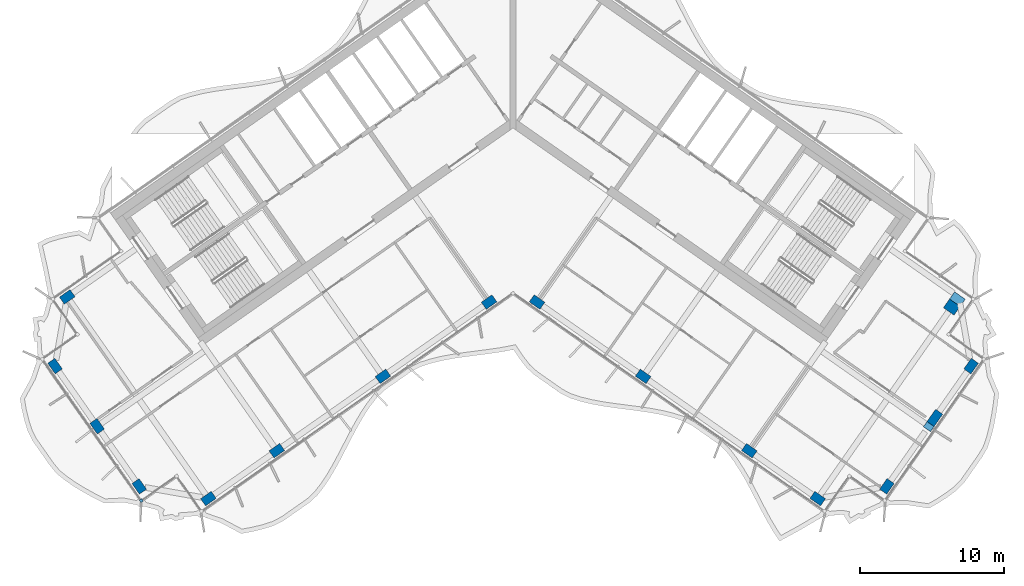
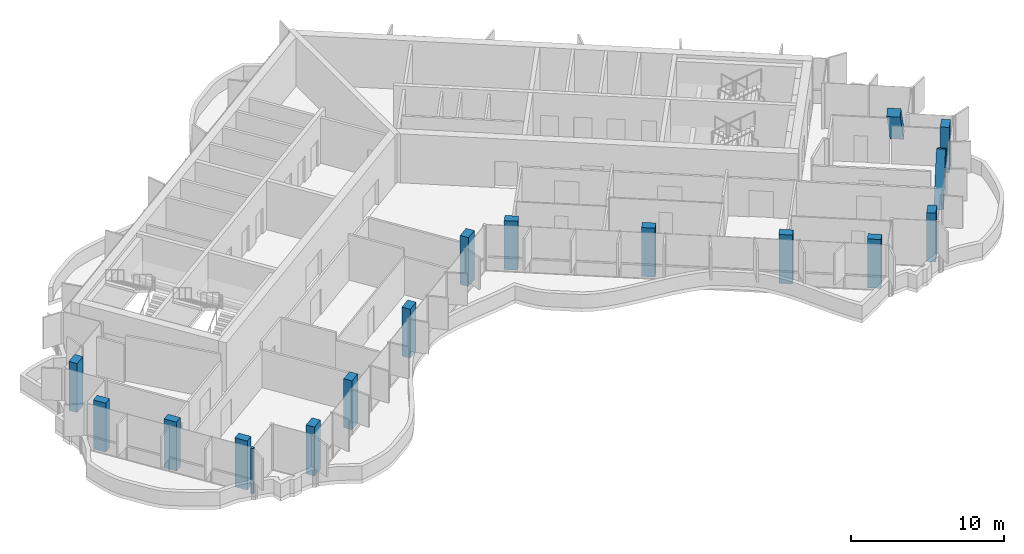
# One storey, part 1 of 20: 16 columns, 1 member, 1 element without a shape of its own.
"""IFC4 building model written with IfcOpenShell, lengths in metres."""

from ifc_helpers import new_model, si_unit, direction, frame, origin, origin_2d, place, context, subcontext, project, spatial, rectangle, extrude, clip, halfspace, material, material_profile, profile_set, type_object, element, aggregate, save


model = new_model("IFC4")

# Units and contexts
model_context = context("Model", 3, precision=1e-05, world=origin(), true_north=direction((0.0, 1.0)))
body_context = subcontext(model_context, "Body", "Model", "MODEL_VIEW")
ifc_project = project(units=[si_unit("LENGTHUNIT", "METRE"), si_unit("AREAUNIT", "SQUARE_METRE"), si_unit("VOLUMEUNIT", "CUBIC_METRE"), si_unit("PLANEANGLEUNIT", "RADIAN"), si_unit("MASSUNIT", "GRAM", prefix="KILO")], contexts=[model_context])

# Site, building, storey
site_placement = place(None, origin())
site = spatial("IfcSite", under=ifc_project, at=site_placement, CompositionType="ELEMENT")
building_placement = place(site_placement, origin())
building = spatial("IfcBuilding", under=site, at=building_placement, Name="Tel Ilan Convention Tower", CompositionType="ELEMENT")
storey_placement = place(building_placement, frame((0.0, 0.0, 244.89990234375)))
storey = spatial("IfcBuildingStorey", under=building, at=storey_placement, Name="L57", CompositionType="ELEMENT", Elevation=244.89990234375)

# Columns
ifc_material_1 = material(Name="Concrete C40/50", Category="concrete")
ifc_material_profile_1 = material_profile(ifc_material_1, rectangle(XDim=0.89990234375, YDim=0.60009765625, at=origin_2d()), Name="RC 600x900")
ifc_profile_set_1 = profile_set([ifc_material_profile_1], Name="Concrete C40/50")
column_type = type_object("IfcColumnType", Name="Column RC 600x900 C40/50", PredefinedType="COLUMN", material=ifc_profile_set_1)
for number, where, z_axis, x_axis, name in (
    (1, (-1.665283203125, -13.312744140625, 0.0), (0.0, 0.0, 1.0), (-0.819152044289, -0.573576436351, 0.0), "L57 column W-F1"),
    (2, (-9.03759765625, -18.474853515625, 0.0), (0.0, 0.0, 1.0), (-0.819152044289, -0.573576436351, 0.0), "L57 column W-F2"),
    (3, (-16.409912109375, -23.63720703125, 0.0), (0.0, 0.0, 1.0), (-0.819152044289, -0.573576436351, 0.0), "L57 column W-F3"),
    (4, (-21.1611328125, -26.9638671875, 0.0), (0.0, 0.0, 1.0), (-0.819152044289, -0.573576436351, 0.0), "L57 column W-FC"),
    (5, (-30.96923828125, -12.956298828125, 0.0), (0.0, 0.0, 1.0), (-0.819152044289, -0.573576436351, 0.0), "L57 column W-BC"),
    (6, (-25.966064453125, -26.11669921875, 0.0), (0.0, 0.0, 1.0), (-0.573576436351, 0.819152044289, 0.0), "L57 column W-E1"),
    (7, (-28.891357421875, -21.93896484375, 0.0), (0.0, 0.0, 1.0), (-0.573576436351, 0.819152044289, 0.0), "L57 column W-E2"),
    (8, (-31.81640625, -17.76123046875, 0.0), (0.0, 0.0, 1.0), (-0.573576436351, 0.819152044289, 0.0), "L57 column W-E3"),
    (9, (1.665283203125, -13.312744140625, 0.0), (0.0, 0.0, 1.0), (0.819152044289, -0.573576436351, 0.0), "L57 column E-F1"),
    (10, (9.03759765625, -18.474853515625, 0.0), (0.0, 0.0, 1.0), (0.819152044289, -0.573576436351, 0.0), "L57 column E-F2"),
    (11, (16.409912109375, -23.63720703125, 0.0), (0.0, 0.0, 1.0), (0.819152044289, -0.573576436351, 0.0), "L57 column E-F3"),
    (12, (21.1611328125, -26.9638671875, 0.0), (0.0, 0.0, 1.0), (0.819152044289, -0.573576436351, 0.0), "L57 column E-FC"),
):
    element("IfcColumn", number, at=place(storey_placement, frame(where, z_axis=z_axis, x_axis=x_axis)), inside=storey, type_object=column_type, Name=name, PredefinedType="COLUMN", context=body_context, shape_type="SweptSolid", body=[
        extrude(rectangle(XDim=0.89990234375, YDim=0.60009765625, at=origin_2d()), origin(), (0.0, 0.0, 1.0), 3.900146484375),
    ])
column_1_placement = place(storey_placement, frame((30.96923828125, -12.956298828125, 0.0), z_axis=(-0.334512857575, -0.477747821975, 0.812316543421), x_axis=(0.819159914019, -0.573565197047, 0.0)))
element("IfcColumn", 13, at=column_1_placement, inside=storey, type_object=column_type, Name="L57 column E-BC", PredefinedType="COLUMN", context=body_context, shape_type="Clipping", body=[
    clip(clip(extrude(rectangle(XDim=0.89990234375, YDim=0.60009765625, at=origin_2d()), origin(), (0.0, 0.0, 1.0), 4.801025390625), halfspace(frame((0.0, 0.0, 0.21533203125), z_axis=(0.0, 0.0, 1.0), x_axis=(1.0, 0.0, 0.0)), True)), halfspace(frame((0.0, 0.0, 4.585693359375), z_axis=(0.0, 0.0, 1.0), x_axis=(1.0, 0.0, 0.0)), False)),
])
column_2_placement = place(storey_placement, frame((25.966064453125, -26.11669921875, 0.0), z_axis=(0.0, 0.0, 1.0), x_axis=(0.573576436351, 0.819152044289, 0.0)))
element("IfcColumn", 14, at=column_2_placement, inside=storey, type_object=column_type, Name="L57 column E-E1", PredefinedType="COLUMN", context=body_context, shape_type="SweptSolid", body=[
    extrude(rectangle(XDim=0.89990234375, YDim=0.60009765625, at=origin_2d()), origin(), (0.0, 0.0, 1.0), 3.900146484375),
])
column_3_placement = place(storey_placement, frame((28.89111328125, -21.93896484375, 0.000244140625), z_axis=(0.291425634489, 0.416156539042, 0.861327367831), x_axis=(0.494070855631, 0.705534424526, -0.508050357174)))
element("IfcColumn", 15, at=column_3_placement, inside=storey, type_object=column_type, Name="L57 column E-E2", PredefinedType="COLUMN", context=body_context, shape_type="Clipping", body=[
    clip(clip(extrude(rectangle(XDim=0.89990234375, YDim=0.60009765625, at=origin_2d()), origin(), (0.0, 0.0, 1.0), 4.527587890625), halfspace(frame((0.0, 0.0, 0.265380859375), z_axis=(0.0, 0.0, 1.0), x_axis=(1.0, 0.0, 0.0)), True)), halfspace(frame((0.0, 0.0, 4.26220703125), z_axis=(0.0, 0.0, 1.0), x_axis=(1.0, 0.0, 0.0)), False)),
])
column_4_placement = place(storey_placement, frame((31.81640625, -17.76123046875, 0.0), z_axis=(0.0, 0.0, 1.0), x_axis=(0.573576436351, 0.819152044289, 0.0)))
element("IfcColumn", 16, at=column_4_placement, inside=storey, type_object=column_type, Name="L57 column E-E3", PredefinedType="COLUMN", context=body_context, shape_type="SweptSolid", body=[
    extrude(rectangle(XDim=0.89990234375, YDim=0.60009765625, at=origin_2d()), origin(), (0.0, 0.0, 1.0), 3.6201171875),
])

# Curtain wall, member
ifc_material_2 = material(Name="Aluminium, bronze anodised", Category="aluminium")
curtain_wall_type = type_object("IfcCurtainWallType", Name="CW5 STICK CURTAIN WALL, UPPER OFFICE LOW-IRON TINTED GLASS", PredefinedType="NOTDEFINED", material=ifc_material_2)
curtain_wall_placement = place(storey_placement, origin())
curtain_wall = element("IfcCurtainWall", 17, at=curtain_wall_placement, inside=storey, type_object=curtain_wall_type, Name="Curtain wall CW5-44.02", PredefinedType="NOTDEFINED")
ifc_material_3 = material(Name="Aluminium, bronze anodised", Category="aluminium")
ifc_material_profile_2 = material_profile(ifc_material_3, rectangle(XDim=0.199951171875, YDim=0.199951171875, at=origin_2d()), Name="CW CORNER MULLION 200x200")
ifc_profile_set_2 = profile_set([ifc_material_profile_2], Name="Aluminium, bronze anodised")
member_type = type_object("IfcMemberType", Name="CW CORNER MULLION 200x200", PredefinedType="MULLION", material=ifc_profile_set_2)
member_placement = place(storey_placement, frame((-25.818359375, -27.112060546875, 0.0), z_axis=(0.0, 0.0, 1.0), x_axis=(0.573576436351, -0.819152044289, 0.0)))
member = element("IfcMember", 18, at=member_placement, type_object=member_type, Name="Corner mullion", PredefinedType="MULLION", context=body_context, shape_type="SweptSolid", body=[
    extrude(rectangle(XDim=0.199951171875, YDim=0.199951171875, at=origin_2d()), origin(), (0.0, 0.0, 1.0), 3.6201171875),
])
aggregate(curtain_wall, [member])

save(model, "model.ifc")
